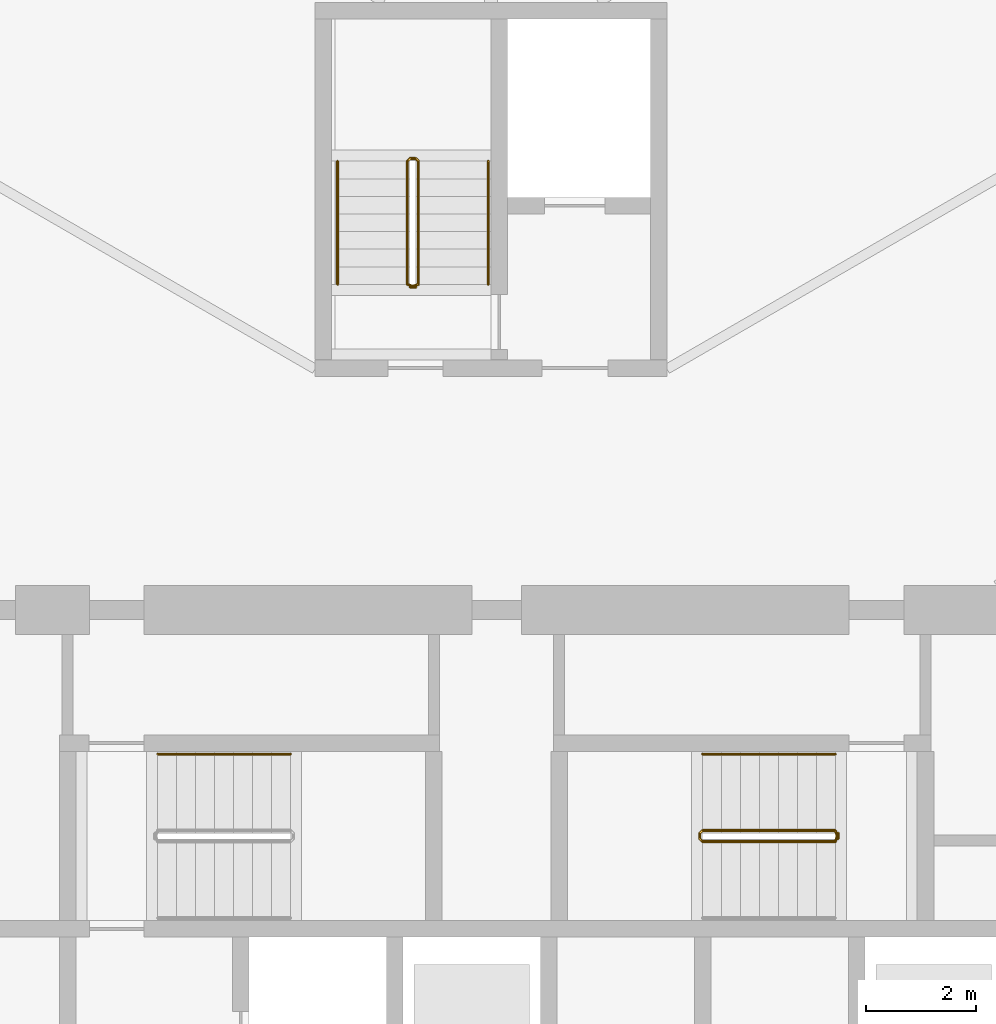
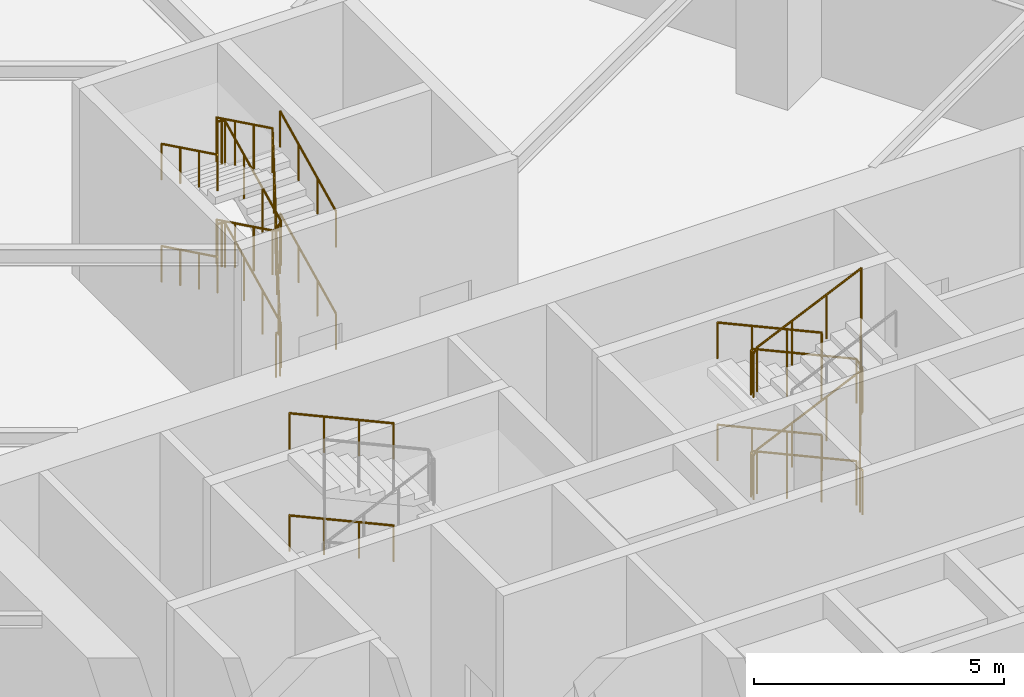
# One storey, part 8 of 9: 10 railings.
"""IFC4 building model written with IfcOpenShell, lengths in metres."""

from ifc_helpers import new_model, si_unit, direction, frame, origin, origin_2d, place, context, subcontext, project, spatial, circle, extrude, material, type_object, element, save


model = new_model("IFC4")

# Units and contexts
model_context = context("Model", 3, precision=1e-05, world=origin(), true_north=direction((0.0, 1.0)))
body_context = subcontext(model_context, "Body", "Model", "MODEL_VIEW")
ifc_project = project(units=[si_unit("LENGTHUNIT", "METRE"), si_unit("AREAUNIT", "SQUARE_METRE"), si_unit("VOLUMEUNIT", "CUBIC_METRE"), si_unit("PLANEANGLEUNIT", "RADIAN"), si_unit("MASSUNIT", "GRAM", prefix="KILO")], contexts=[model_context])

# Site, building, storey
site_placement = place(None, origin())
site = spatial("IfcSite", under=ifc_project, at=site_placement, CompositionType="ELEMENT")
building_placement = place(site_placement, origin())
building = spatial("IfcBuilding", under=site, at=building_placement, Name="Firuza Gate Tower and Library", CompositionType="ELEMENT")
storey_placement = place(building_placement, frame((0.0, 0.0, -5.0)))
storey = spatial("IfcBuildingStorey", under=building, at=storey_placement, Name="B1", CompositionType="ELEMENT", Elevation=-5.0)

# Railings
ifc_material_1 = material(Name="Steel S355", Category="steel")
railing_type_1 = type_object("IfcRailingType", Name="Stair guard 1100", PredefinedType="GUARDRAIL", material=ifc_material_1)
railing_1_placement = place(storey_placement, frame((81.260009765625, 79.5400390625, 0.15625)))
element("IfcRailing", 1, at=railing_1_placement, inside=storey, type_object=railing_type_1, Name="B1 ST2 stair guard 1", PredefinedType="GUARDRAIL", context=body_context, shape_type="SweptSolid", body=[
    extrude(circle(Radius=0.02392578125, at=origin_2d()), frame((0.0, 0.0, 1.076171875), z_axis=(-0.910933285851, 0.0, 0.412553691934), x_axis=(0.0, -1.0, 0.0)), (0.0, 0.0, 1.0), 2.651123046875),
    extrude(circle(Radius=0.02392578125, at=origin_2d()), frame((-2.4150390625, 0.0, 2.169921875), z_axis=(-0.707106781187, -0.707106781187, 0.0), x_axis=(0.707106781187, -0.707106781187, 0.0)), (0.0, 0.0, 1.0), 0.07080078125),
    extrude(circle(Radius=0.02392578125, at=origin_2d()), frame((-2.465087890625, -0.050048828125, 2.169921875), z_axis=(0.0, -1.0, 0.0), x_axis=(1.0, 0.0, 0.0)), (0.0, 0.0, 1.0), 0.10009765625),
    extrude(circle(Radius=0.02392578125, at=origin_2d()), frame((-2.465087890625, -0.150146484375, 2.169921875), z_axis=(0.291893400672, -0.290469530425, 0.911276958196), x_axis=(0.705375805398, 0.708833529934, 0.0)), (0.0, 0.0, 1.0), 0.17138671875),
    extrude(circle(Radius=0.02392578125, at=origin_2d()), frame((-2.4150390625, -0.199951171875, 2.326171875), z_axis=(0.910933285851, 0.0, 0.412553691934), x_axis=(0.0, 1.0, 0.0)), (0.0, 0.0, 1.0), 2.651123046875),
    extrude(circle(Radius=0.02392578125, at=origin_2d()), frame((0.0, -0.199951171875, 3.419921875), z_axis=(0.316691178788, 0.948528701346, 0.0), x_axis=(-0.948528701346, 0.316691178788, 0.0)), (0.0, 0.0, 1.0), 0.157958984375),
    extrude(circle(Radius=0.02392578125, at=origin_2d()), frame((0.050048828125, -0.050048828125, 3.419921875), z_axis=(0.0, -1.0, 0.0), x_axis=(1.0, 0.0, 0.0)), (0.0, 0.0, 1.0), 0.10009765625),
    extrude(circle(Radius=0.02392578125, at=origin_2d()), frame((0.050048828125, -0.150146484375, 3.419921875), z_axis=(-0.225037068573, 0.675111205718, 0.702554750666), x_axis=(-0.948683298051, -0.316227766017, 0.0)), (0.0, 0.0, 1.0), 0.222412109375),
    extrude(circle(Radius=0.02392578125, at=origin_2d()), frame((0.0, 0.0, 3.576171875), z_axis=(-0.910933285851, 0.0, 0.412553691934), x_axis=(0.0, -1.0, 0.0)), (0.0, 0.0, 1.0), 2.651123046875),
    extrude(circle(Radius=0.02392578125, at=origin_2d()), frame((-2.4150390625, 0.0, 4.669921875), z_axis=(-0.707106781187, -0.707106781187, 0.0), x_axis=(0.707106781187, -0.707106781187, 0.0)), (0.0, 0.0, 1.0), 0.07080078125),
    extrude(circle(Radius=0.02392578125, at=origin_2d()), frame((-2.465087890625, -0.050048828125, 4.669921875), z_axis=(0.0, -1.0, 0.0), x_axis=(1.0, 0.0, 0.0)), (0.0, 0.0, 1.0), 0.10009765625),
    extrude(circle(Radius=0.02392578125, at=origin_2d()), frame((-2.465087890625, -0.150146484375, 4.669921875), z_axis=(0.291893400672, -0.290469530425, 0.911276958196), x_axis=(0.705375805398, 0.708833529934, 0.0)), (0.0, 0.0, 1.0), 0.17138671875),
    extrude(circle(Radius=0.02392578125, at=origin_2d()), frame((-2.4150390625, -0.199951171875, 4.826171875), z_axis=(0.910933285851, 0.0, 0.412553691934), x_axis=(0.0, 1.0, 0.0)), (0.0, 0.0, 1.0), 2.651123046875),
    extrude(circle(Radius=0.02392578125, at=origin_2d()), frame((0.0, -0.199951171875, 5.919921875), z_axis=(0.010004769371, 0.029965504359, -0.999500862), x_axis=(-0.948528701346, 0.316691178788, 0.0)), (0.0, 0.0, 1.0), 5.00244140625),
    extrude(circle(Radius=0.02392578125, at=origin_2d()), frame((0.050048828125, -0.050048828125, 0.919921875), z_axis=(0.0, -1.0, 0.0), x_axis=(1.0, 0.0, 0.0)), (0.0, 0.0, 1.0), 0.10009765625),
    extrude(circle(Radius=0.02099609375, at=origin_2d()), origin(), (0.0, 0.0, 1.0), 1.052001953125),
    extrude(circle(Radius=0.02099609375, at=origin_2d()), frame((-0.804931640625, 0.0, 0.364501953125)), (0.0, 0.0, 1.0), 1.052001953125),
    extrude(circle(Radius=0.02099609375, at=origin_2d()), frame((-1.610107421875, 0.0, 0.729248046875)), (0.0, 0.0, 1.0), 1.052001953125),
    extrude(circle(Radius=0.02099609375, at=origin_2d()), frame((-2.4150390625, 0.0, 1.09375)), (0.0, 0.0, 1.0), 1.052001953125),
    extrude(circle(Radius=0.02099609375, at=origin_2d()), frame((-2.465087890625, -0.050048828125, 1.09375)), (0.0, 0.0, 1.0), 1.052001953125),
    extrude(circle(Radius=0.02099609375, at=origin_2d()), frame((-2.465087890625, -0.150146484375, 1.09375)), (0.0, 0.0, 1.0), 1.052001953125),
    extrude(circle(Radius=0.02099609375, at=origin_2d()), frame((-2.4150390625, -0.199951171875, 1.25)), (0.0, 0.0, 1.0), 1.052001953125),
    extrude(circle(Radius=0.02099609375, at=origin_2d()), frame((-1.610107421875, -0.199951171875, 1.614501953125)), (0.0, 0.0, 1.0), 1.052001953125),
    extrude(circle(Radius=0.02099609375, at=origin_2d()), frame((-0.804931640625, -0.199951171875, 1.979248046875)), (0.0, 0.0, 1.0), 1.052001953125),
    extrude(circle(Radius=0.02099609375, at=origin_2d()), frame((0.0, -0.199951171875, 2.34375)), (0.0, 0.0, 1.0), 1.052001953125),
    extrude(circle(Radius=0.02099609375, at=origin_2d()), frame((0.050048828125, -0.050048828125, 2.34375)), (0.0, 0.0, 1.0), 1.052001953125),
    extrude(circle(Radius=0.02099609375, at=origin_2d()), frame((0.050048828125, -0.150146484375, 2.34375)), (0.0, 0.0, 1.0), 1.052001953125),
    extrude(circle(Radius=0.02099609375, at=origin_2d()), frame((0.0, 0.0, 2.5)), (0.0, 0.0, 1.0), 1.052001953125),
    extrude(circle(Radius=0.02099609375, at=origin_2d()), frame((-0.804931640625, 0.0, 2.864501953125)), (0.0, 0.0, 1.0), 1.052001953125),
    extrude(circle(Radius=0.02099609375, at=origin_2d()), frame((-1.610107421875, 0.0, 3.229248046875)), (0.0, 0.0, 1.0), 1.052001953125),
    extrude(circle(Radius=0.02099609375, at=origin_2d()), frame((-2.4150390625, 0.0, 3.59375)), (0.0, 0.0, 1.0), 1.052001953125),
    extrude(circle(Radius=0.02099609375, at=origin_2d()), frame((-2.465087890625, -0.050048828125, 3.59375)), (0.0, 0.0, 1.0), 1.052001953125),
    extrude(circle(Radius=0.02099609375, at=origin_2d()), frame((-2.465087890625, -0.150146484375, 3.59375)), (0.0, 0.0, 1.0), 1.052001953125),
    extrude(circle(Radius=0.02099609375, at=origin_2d()), frame((-2.4150390625, -0.199951171875, 3.75)), (0.0, 0.0, 1.0), 1.052001953125),
    extrude(circle(Radius=0.02099609375, at=origin_2d()), frame((-1.610107421875, -0.199951171875, 4.114501953125)), (0.0, 0.0, 1.0), 1.052001953125),
    extrude(circle(Radius=0.02099609375, at=origin_2d()), frame((-0.804931640625, -0.199951171875, 4.479248046875)), (0.0, 0.0, 1.0), 1.052001953125),
    extrude(circle(Radius=0.02099609375, at=origin_2d()), frame((0.0, -0.199951171875, 4.84375)), (0.0, 0.0, 1.0), 1.052001953125),
    extrude(circle(Radius=0.02099609375, at=origin_2d()), frame((0.010009765625, -0.169921875, 3.84375)), (0.0, 0.0, 1.0), 1.052001953125),
    extrude(circle(Radius=0.02099609375, at=origin_2d()), frame((0.02001953125, -0.139892578125, 2.84375)), (0.0, 0.0, 1.0), 1.052001953125),
    extrude(circle(Radius=0.02099609375, at=origin_2d()), frame((0.030029296875, -0.110107421875, 1.84375)), (0.0, 0.0, 1.0), 1.052001953125),
    extrude(circle(Radius=0.02099609375, at=origin_2d()), frame((0.0400390625, -0.080078125, 0.84375)), (0.0, 0.0, 1.0), 1.052001953125),
    extrude(circle(Radius=0.02099609375, at=origin_2d()), frame((0.050048828125, -0.050048828125, -0.15625)), (0.0, 0.0, 1.0), 1.052001953125),
    extrude(circle(Radius=0.02099609375, at=origin_2d()), frame((0.050048828125, -0.150146484375, -0.15625)), (0.0, 0.0, 1.0), 1.052001953125),
])
railing_2_placement = place(storey_placement, frame((73.679931640625, 89.469970703125, 0.15625)))
element("IfcRailing", 2, at=railing_2_placement, inside=storey, type_object=railing_type_1, Name="B1 ST3 stair guard 1", PredefinedType="GUARDRAIL", context=body_context, shape_type="SweptSolid", body=[
    extrude(circle(Radius=0.02392578125, at=origin_2d()), frame((0.0, 0.0, 1.076171875), z_axis=(0.0, 0.898598948553, 0.438770930737), x_axis=(-1.0, 0.0, 0.0)), (0.0, 0.0, 1.0), 2.49267578125),
    extrude(circle(Radius=0.02392578125, at=origin_2d()), frame((0.0, 2.239990234375, 2.169921875), z_axis=(-0.707106781187, 0.707106781187, 0.0), x_axis=(-0.707106781187, -0.707106781187, 0.0)), (0.0, 0.0, 1.0), 0.07080078125),
    extrude(circle(Radius=0.02392578125, at=origin_2d()), frame((-0.050048828125, 2.2900390625, 2.169921875), z_axis=(-1.0, 0.0, 0.0), x_axis=(0.0, -1.0, 0.0)), (0.0, 0.0, 1.0), 0.099853515625),
    extrude(circle(Radius=0.02392578125, at=origin_2d()), frame((-0.14990234375, 2.2900390625, 2.169921875), z_axis=(-0.29177245553, -0.29177245553, 0.91089937336), x_axis=(0.707106781187, -0.707106781187, 0.0)), (0.0, 0.0, 1.0), 0.171630859375),
    extrude(circle(Radius=0.02392578125, at=origin_2d()), frame((-0.199951171875, 2.239990234375, 2.326171875), z_axis=(0.0, -0.898598948553, 0.438770930737), x_axis=(1.0, 0.0, 0.0)), (0.0, 0.0, 1.0), 2.49267578125),
    extrude(circle(Radius=0.02392578125, at=origin_2d()), frame((-0.199951171875, 0.0, 3.419921875), z_axis=(0.948528701346, -0.316691178788, 0.0), x_axis=(0.316691178788, 0.948528701346, 0.0)), (0.0, 0.0, 1.0), 0.157958984375),
    extrude(circle(Radius=0.02392578125, at=origin_2d()), frame((-0.050048828125, -0.050048828125, 3.419921875), z_axis=(-1.0, 0.0, 0.0), x_axis=(0.0, -1.0, 0.0)), (0.0, 0.0, 1.0), 0.099853515625),
    extrude(circle(Radius=0.02392578125, at=origin_2d()), frame((-0.14990234375, -0.050048828125, 3.419921875), z_axis=(0.674513122763, 0.225203892779, 0.703075567701), x_axis=(-0.316691178788, 0.948528701346, 0.0)), (0.0, 0.0, 1.0), 0.22216796875),
    extrude(circle(Radius=0.02392578125, at=origin_2d()), frame((0.0, 0.0, 3.576171875), z_axis=(0.0, 0.898598948553, 0.438770930737), x_axis=(-1.0, 0.0, 0.0)), (0.0, 0.0, 1.0), 2.49267578125),
    extrude(circle(Radius=0.02392578125, at=origin_2d()), frame((0.0, 2.239990234375, 4.669921875), z_axis=(-0.707106781187, 0.707106781187, 0.0), x_axis=(-0.707106781187, -0.707106781187, 0.0)), (0.0, 0.0, 1.0), 0.07080078125),
    extrude(circle(Radius=0.02392578125, at=origin_2d()), frame((-0.050048828125, 2.2900390625, 4.669921875), z_axis=(-1.0, 0.0, 0.0), x_axis=(0.0, -1.0, 0.0)), (0.0, 0.0, 1.0), 0.099853515625),
    extrude(circle(Radius=0.02392578125, at=origin_2d()), frame((-0.14990234375, 2.2900390625, 4.669921875), z_axis=(-0.29177245553, -0.29177245553, 0.91089937336), x_axis=(0.707106781187, -0.707106781187, 0.0)), (0.0, 0.0, 1.0), 0.171630859375),
    extrude(circle(Radius=0.02392578125, at=origin_2d()), frame((-0.199951171875, 2.239990234375, 4.826171875), z_axis=(0.0, -0.898598948553, 0.438770930737), x_axis=(1.0, 0.0, 0.0)), (0.0, 0.0, 1.0), 2.49267578125),
    extrude(circle(Radius=0.02392578125, at=origin_2d()), frame((-0.199951171875, 0.0, 5.919921875), z_axis=(0.029965504359, -0.010004769371, -0.999500862), x_axis=(0.316691178788, 0.948528701346, 0.0)), (0.0, 0.0, 1.0), 5.00244140625),
    extrude(circle(Radius=0.02392578125, at=origin_2d()), frame((-0.050048828125, -0.050048828125, 0.919921875), z_axis=(-1.0, 0.0, 0.0), x_axis=(0.0, -1.0, 0.0)), (0.0, 0.0, 1.0), 0.099853515625),
    extrude(circle(Radius=0.02099609375, at=origin_2d()), origin(), (0.0, 0.0, 1.0), 1.052001953125),
    extrude(circle(Radius=0.02099609375, at=origin_2d()), frame((0.0, 0.74658203125, 0.364501953125)), (0.0, 0.0, 1.0), 1.052001953125),
    extrude(circle(Radius=0.02099609375, at=origin_2d()), frame((0.0, 1.493408203125, 0.729248046875)), (0.0, 0.0, 1.0), 1.052001953125),
    extrude(circle(Radius=0.02099609375, at=origin_2d()), frame((0.0, 2.239990234375, 1.09375)), (0.0, 0.0, 1.0), 1.052001953125),
    extrude(circle(Radius=0.02099609375, at=origin_2d()), frame((-0.050048828125, 2.2900390625, 1.09375)), (0.0, 0.0, 1.0), 1.052001953125),
    extrude(circle(Radius=0.02099609375, at=origin_2d()), frame((-0.14990234375, 2.2900390625, 1.09375)), (0.0, 0.0, 1.0), 1.052001953125),
    extrude(circle(Radius=0.02099609375, at=origin_2d()), frame((-0.199951171875, 2.239990234375, 1.25)), (0.0, 0.0, 1.0), 1.052001953125),
    extrude(circle(Radius=0.02099609375, at=origin_2d()), frame((-0.199951171875, 1.493408203125, 1.614501953125)), (0.0, 0.0, 1.0), 1.052001953125),
    extrude(circle(Radius=0.02099609375, at=origin_2d()), frame((-0.199951171875, 0.74658203125, 1.979248046875)), (0.0, 0.0, 1.0), 1.052001953125),
    extrude(circle(Radius=0.02099609375, at=origin_2d()), frame((-0.199951171875, 0.0, 2.34375)), (0.0, 0.0, 1.0), 1.052001953125),
    extrude(circle(Radius=0.02099609375, at=origin_2d()), frame((-0.050048828125, -0.050048828125, 2.34375)), (0.0, 0.0, 1.0), 1.052001953125),
    extrude(circle(Radius=0.02099609375, at=origin_2d()), frame((-0.14990234375, -0.050048828125, 2.34375)), (0.0, 0.0, 1.0), 1.052001953125),
    extrude(circle(Radius=0.02099609375, at=origin_2d()), frame((0.0, 0.0, 2.5)), (0.0, 0.0, 1.0), 1.052001953125),
    extrude(circle(Radius=0.02099609375, at=origin_2d()), frame((0.0, 0.74658203125, 2.864501953125)), (0.0, 0.0, 1.0), 1.052001953125),
    extrude(circle(Radius=0.02099609375, at=origin_2d()), frame((0.0, 1.493408203125, 3.229248046875)), (0.0, 0.0, 1.0), 1.052001953125),
    extrude(circle(Radius=0.02099609375, at=origin_2d()), frame((0.0, 2.239990234375, 3.59375)), (0.0, 0.0, 1.0), 1.052001953125),
    extrude(circle(Radius=0.02099609375, at=origin_2d()), frame((-0.050048828125, 2.2900390625, 3.59375)), (0.0, 0.0, 1.0), 1.052001953125),
    extrude(circle(Radius=0.02099609375, at=origin_2d()), frame((-0.14990234375, 2.2900390625, 3.59375)), (0.0, 0.0, 1.0), 1.052001953125),
    extrude(circle(Radius=0.02099609375, at=origin_2d()), frame((-0.199951171875, 2.239990234375, 3.75)), (0.0, 0.0, 1.0), 1.052001953125),
    extrude(circle(Radius=0.02099609375, at=origin_2d()), frame((-0.199951171875, 1.493408203125, 4.114501953125)), (0.0, 0.0, 1.0), 1.052001953125),
    extrude(circle(Radius=0.02099609375, at=origin_2d()), frame((-0.199951171875, 0.74658203125, 4.479248046875)), (0.0, 0.0, 1.0), 1.052001953125),
    extrude(circle(Radius=0.02099609375, at=origin_2d()), frame((-0.199951171875, 0.0, 4.84375)), (0.0, 0.0, 1.0), 1.052001953125),
    extrude(circle(Radius=0.02099609375, at=origin_2d()), frame((-0.169921875, -0.010009765625, 3.84375)), (0.0, 0.0, 1.0), 1.052001953125),
    extrude(circle(Radius=0.02099609375, at=origin_2d()), frame((-0.139892578125, -0.02001953125, 2.84375)), (0.0, 0.0, 1.0), 1.052001953125),
    extrude(circle(Radius=0.02099609375, at=origin_2d()), frame((-0.110107421875, -0.030029296875, 1.84375)), (0.0, 0.0, 1.0), 1.052001953125),
    extrude(circle(Radius=0.02099609375, at=origin_2d()), frame((-0.080078125, -0.0400390625, 0.84375)), (0.0, 0.0, 1.0), 1.052001953125),
    extrude(circle(Radius=0.02099609375, at=origin_2d()), frame((-0.050048828125, -0.050048828125, -0.15625)), (0.0, 0.0, 1.0), 1.052001953125),
    extrude(circle(Radius=0.02099609375, at=origin_2d()), frame((-0.14990234375, -0.050048828125, -0.15625)), (0.0, 0.0, 1.0), 1.052001953125),
])
ifc_material_2 = material(Name="Steel S355", Category="steel")
railing_type_2 = type_object("IfcRailingType", Name="Stair handrail 900", PredefinedType="HANDRAIL", material=ifc_material_2)
for number, where, name in (
    (3, (71.35498046875, 80.929931640625, 1.40625), "B1 ST1 stair handrail 2"),
    (4, (71.35498046875, 80.929931640625, 3.90625), "B1 ST1 stair handrail 4"),
    (5, (81.260009765625, 80.929931640625, 0.15625), "B1 ST2 stair handrail 1"),
    (6, (81.260009765625, 80.929931640625, 2.65625), "B1 ST2 stair handrail 3"),
):
    element("IfcRailing", number, at=place(storey_placement, frame(where)), inside=storey, type_object=railing_type_2, Name=name, PredefinedType="HANDRAIL", context=body_context, shape_type="SweptSolid", body=[
        extrude(circle(Radius=0.02392578125, at=origin_2d()), frame((0.0, 0.0, 0.8759765625), z_axis=(-0.910933285851, 0.0, 0.412553691934), x_axis=(0.0, -1.0, 0.0)), (0.0, 0.0, 1.0), 2.651123046875),
        extrude(circle(Radius=0.02099609375, at=origin_2d()), origin(), (0.0, 0.0, 1.0), 0.851806640625),
        extrude(circle(Radius=0.02099609375, at=origin_2d()), frame((-0.804931640625, 0.0, 0.364501953125)), (0.0, 0.0, 1.0), 0.851806640625),
        extrude(circle(Radius=0.02099609375, at=origin_2d()), frame((-1.610107421875, 0.0, 0.729248046875)), (0.0, 0.0, 1.0), 0.851806640625),
        extrude(circle(Radius=0.02099609375, at=origin_2d()), frame((-2.4150390625, 0.0, 1.09375)), (0.0, 0.0, 1.0), 0.851806640625),
    ])
railing_3_placement = place(storey_placement, frame((74.949951171875, 89.469970703125, 0.15625)))
element("IfcRailing", 7, at=railing_3_placement, inside=storey, type_object=railing_type_2, Name="B1 ST3 stair handrail 1", PredefinedType="HANDRAIL", context=body_context, shape_type="SweptSolid", body=[
    extrude(circle(Radius=0.02392578125, at=origin_2d()), frame((0.0, 0.0, 0.8759765625), z_axis=(0.0, 0.898598948553, 0.438770930737), x_axis=(-1.0, 0.0, 0.0)), (0.0, 0.0, 1.0), 2.49267578125),
    extrude(circle(Radius=0.02099609375, at=origin_2d()), origin(), (0.0, 0.0, 1.0), 0.851806640625),
    extrude(circle(Radius=0.02099609375, at=origin_2d()), frame((0.0, 0.74658203125, 0.364501953125)), (0.0, 0.0, 1.0), 0.851806640625),
    extrude(circle(Radius=0.02099609375, at=origin_2d()), frame((0.0, 1.493408203125, 0.729248046875)), (0.0, 0.0, 1.0), 0.851806640625),
    extrude(circle(Radius=0.02099609375, at=origin_2d()), frame((0.0, 2.239990234375, 1.09375)), (0.0, 0.0, 1.0), 0.851806640625),
])
railing_4_placement = place(storey_placement, frame((72.2099609375, 91.7099609375, 1.40625)))
element("IfcRailing", 8, at=railing_4_placement, inside=storey, type_object=railing_type_2, Name="B1 ST3 stair handrail 2", PredefinedType="HANDRAIL", context=body_context, shape_type="SweptSolid", body=[
    extrude(circle(Radius=0.02392578125, at=origin_2d()), frame((0.0, 0.0, 0.8759765625), z_axis=(0.0, -0.898598948553, 0.438770930737), x_axis=(1.0, 0.0, 0.0)), (0.0, 0.0, 1.0), 2.49267578125),
    extrude(circle(Radius=0.02099609375, at=origin_2d()), origin(), (0.0, 0.0, 1.0), 0.851806640625),
    extrude(circle(Radius=0.02099609375, at=origin_2d()), frame((0.0, -0.74658203125, 0.364501953125)), (0.0, 0.0, 1.0), 0.851806640625),
    extrude(circle(Radius=0.02099609375, at=origin_2d()), frame((0.0, -1.493408203125, 0.729248046875)), (0.0, 0.0, 1.0), 0.851806640625),
    extrude(circle(Radius=0.02099609375, at=origin_2d()), frame((0.0, -2.239990234375, 1.09375)), (0.0, 0.0, 1.0), 0.851806640625),
])
railing_5_placement = place(storey_placement, frame((74.949951171875, 89.469970703125, 2.65625)))
element("IfcRailing", 9, at=railing_5_placement, inside=storey, type_object=railing_type_2, Name="B1 ST3 stair handrail 3", PredefinedType="HANDRAIL", context=body_context, shape_type="SweptSolid", body=[
    extrude(circle(Radius=0.02392578125, at=origin_2d()), frame((0.0, 0.0, 0.8759765625), z_axis=(0.0, 0.898598948553, 0.438770930737), x_axis=(-1.0, 0.0, 0.0)), (0.0, 0.0, 1.0), 2.49267578125),
    extrude(circle(Radius=0.02099609375, at=origin_2d()), origin(), (0.0, 0.0, 1.0), 0.851806640625),
    extrude(circle(Radius=0.02099609375, at=origin_2d()), frame((0.0, 0.74658203125, 0.364501953125)), (0.0, 0.0, 1.0), 0.851806640625),
    extrude(circle(Radius=0.02099609375, at=origin_2d()), frame((0.0, 1.493408203125, 0.729248046875)), (0.0, 0.0, 1.0), 0.851806640625),
    extrude(circle(Radius=0.02099609375, at=origin_2d()), frame((0.0, 2.239990234375, 1.09375)), (0.0, 0.0, 1.0), 0.851806640625),
])
railing_6_placement = place(storey_placement, frame((72.2099609375, 91.7099609375, 3.90625)))
element("IfcRailing", 10, at=railing_6_placement, inside=storey, type_object=railing_type_2, Name="B1 ST3 stair handrail 4", PredefinedType="HANDRAIL", context=body_context, shape_type="SweptSolid", body=[
    extrude(circle(Radius=0.02392578125, at=origin_2d()), frame((0.0, 0.0, 0.8759765625), z_axis=(0.0, -0.898598948553, 0.438770930737), x_axis=(1.0, 0.0, 0.0)), (0.0, 0.0, 1.0), 2.49267578125),
    extrude(circle(Radius=0.02099609375, at=origin_2d()), origin(), (0.0, 0.0, 1.0), 0.851806640625),
    extrude(circle(Radius=0.02099609375, at=origin_2d()), frame((0.0, -0.74658203125, 0.364501953125)), (0.0, 0.0, 1.0), 0.851806640625),
    extrude(circle(Radius=0.02099609375, at=origin_2d()), frame((0.0, -1.493408203125, 0.729248046875)), (0.0, 0.0, 1.0), 0.851806640625),
    extrude(circle(Radius=0.02099609375, at=origin_2d()), frame((0.0, -2.239990234375, 1.09375)), (0.0, 0.0, 1.0), 0.851806640625),
])

save(model, "model.ifc")
